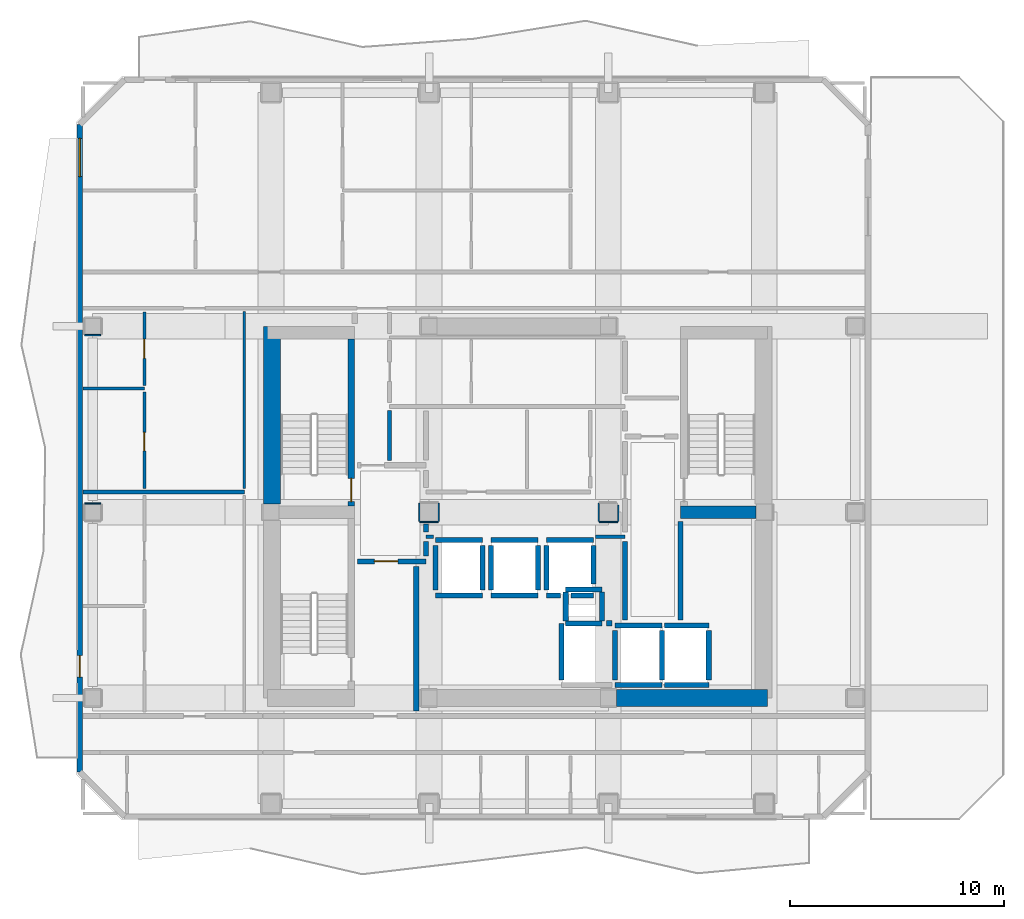
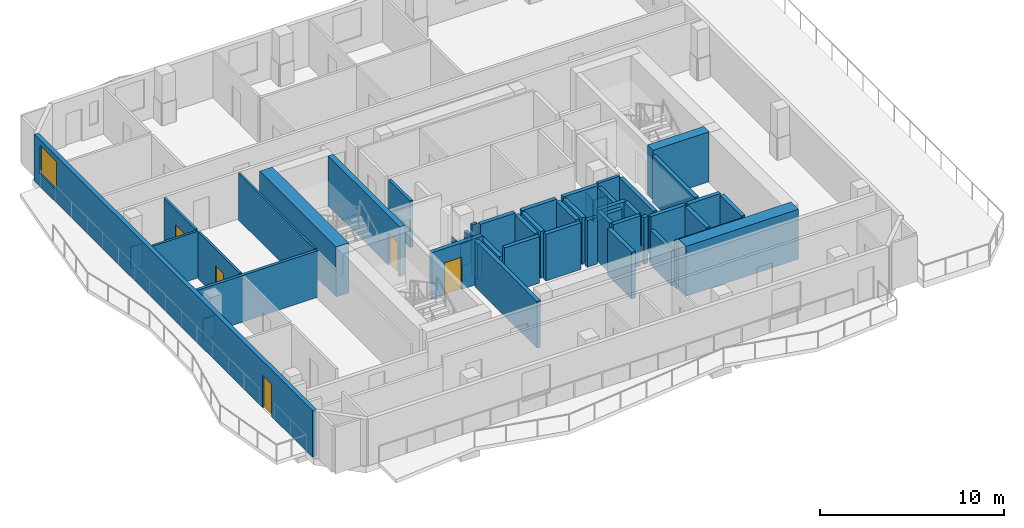
# One storey, part 3 of 10: 53 walls, 5 doors, 1 window, 6 openings.
"""IFC4 building model written with IfcOpenShell, lengths in metres."""

from ifc_helpers import new_model, si_unit, direction, frame, frame_2d, origin, place, context, subcontext, project, spatial, rectangle, extrude, material, layer, layer_set, type_object, element, fill, save


model = new_model("IFC4")

# Units and contexts
model_context = context("Model", 3, precision=1e-05, world=origin(), true_north=direction((0.0, 1.0)))
body_context = subcontext(model_context, "Body", "Model", "MODEL_VIEW")
ifc_project = project(units=[si_unit("LENGTHUNIT", "METRE"), si_unit("AREAUNIT", "SQUARE_METRE"), si_unit("VOLUMEUNIT", "CUBIC_METRE"), si_unit("PLANEANGLEUNIT", "RADIAN"), si_unit("MASSUNIT", "GRAM", prefix="KILO")], contexts=[model_context])

# Site, building, storey
site_placement = place(None, origin())
site = spatial("IfcSite", under=ifc_project, at=site_placement, CompositionType="ELEMENT")
building_placement = place(site_placement, origin())
building = spatial("IfcBuilding", under=site, at=building_placement, Name="Solanera Arch Residences", CompositionType="ELEMENT")
storey_placement = place(building_placement, frame((0.0, 0.0, 251.199951171875)))
storey = spatial("IfcBuildingStorey", under=building, at=storey_placement, Name="L73", CompositionType="ELEMENT", Elevation=251.199951171875)

# Walls
ifc_material_1 = material(Name="Fire-Rated Gypsum Stud Partition", Category="gypsum")
ifc_layer_1 = layer(ifc_material_1, 0.06005859375)
ifc_layer_set_1 = layer_set([ifc_layer_1], Name="Fire-Rated Gypsum Stud Partition")
wall_type_1 = type_object("IfcWallType", Name="Column Acoustic Furring Wall 60", PredefinedType="PARTITIONING", material=ifc_layer_set_1)
for number, where, z_axis, x_axis, name in (
    (1, (20.375, 30.242919921875, 0.0), (0.0, 0.0, 1.0), (1.0, 0.0, 0.0), "L73 Column Furring 7S"),
    (2, (20.343017578125, 30.27490234375, 0.0), (0.0, 0.0, 1.0), (0.0, 1.0, 0.0), "L73 Column Furring 7W"),
    (3, (21.257080078125, 30.27490234375, 0.0), (0.0, 0.0, 1.0), (0.0, 1.0, 0.0), "L73 Column Furring 7E"),
    (4, (28.77490234375, 30.242919921875, 0.0), (0.0, 0.0, 1.0), (1.0, 0.0, 0.0), "L73 Column Furring 8S"),
    (5, (28.742919921875, 30.27490234375, 0.0), (0.0, 0.0, 1.0), (0.0, 1.0, 0.0), "L73 Column Furring 8W"),
):
    element("IfcWall", number, at=place(storey_placement, frame(where, z_axis=z_axis, x_axis=x_axis)), inside=storey, type_object=wall_type_1, Name=name, PredefinedType="PARTITIONING", context=body_context, shape_type="SweptSolid", body=[
        extrude(rectangle(XDim=0.85009765625, YDim=0.06005859375, at=frame_2d((0.425048828125, 0.0))), origin(), (0.0, 0.0, 1.0), 1.449951171875),
    ])
wall_1_placement = place(storey_placement, frame((29.656982421875, 30.27490234375, 0.0), z_axis=(0.0, 0.0, 1.0), x_axis=(0.0, 1.0, 0.0)))
element("IfcWall", 6, at=wall_1_placement, inside=storey, type_object=wall_type_1, Name="L73 Column Furring 8E", PredefinedType="PARTITIONING", context=body_context, shape_type="SweptSolid", body=[
    extrude(rectangle(XDim=0.757080078125, YDim=0.06005859375, at=frame_2d((0.37841796875, 0.0))), origin(), (0.0, 0.0, 1.0), 1.449951171875),
])
for number, where, z_axis, x_axis, name in (
    (7, (4.675048828125, 31.10693359375, 0.0), (0.0, 0.0, 1.0), (1.0, 0.0, 0.0), "L73 Column Furring 19N"),
    (8, (4.675048828125, 38.992919921875, 0.0), (0.0, 0.0, 1.0), (1.0, 0.0, 0.0), "L73 Column Furring 21S"),
):
    element("IfcWall", number, at=place(storey_placement, frame(where, z_axis=z_axis, x_axis=x_axis)), inside=storey, type_object=wall_type_1, Name=name, PredefinedType="PARTITIONING", context=body_context, shape_type="SweptSolid", body=[
        extrude(rectangle(XDim=0.75, YDim=0.06005859375, at=frame_2d((0.375, 0.0))), origin(), (0.0, 0.0, 1.0), 1.449951171875),
    ])

# Wall, opening, door
ifc_material_2 = material(Name="Concrete C40/50 (f'c = 45 MPa)", Category="concrete")
ifc_layer_2 = layer(ifc_material_2, 0.320068359375)
ifc_layer_set_2 = layer_set([ifc_layer_2], Name="Concrete C40/50 (f'c = 45 MPa)")
wall_type_2 = type_object("IfcWallType", Name="Core Shear Wall CW-320", PredefinedType="SHEAR", material=ifc_layer_set_2)
wall_2_placement = place(storey_placement, frame((17.159912109375, 31.0, 0.0), z_axis=(0.0, 0.0, 1.0), x_axis=(0.0, 1.0, 0.0)))
wall_2 = element("IfcWall", 9, at=wall_2_placement, inside=storey, type_object=wall_type_2, Name="L73 Stair ST-T1 East Shear Wall", PredefinedType="SHEAR", context=body_context, shape_type="SweptSolid", body=[
    extrude(rectangle(XDim=7.800048828125, YDim=0.320068359375, at=frame_2d((3.89990234375, 0.0))), origin(), (0.0, 0.0, 1.0), 3.320068359375),
])
opening_1_placement = place(wall_2_placement, frame((0.18994140625, 0.0, 0.0)))
opening_1 = element("IfcOpeningElement", 10, at=opening_1_placement, cuts=wall_2, Name="Opening DF-01", PredefinedType="OPENING", context=body_context, shape_type="SweptSolid", body=[
    extrude(rectangle(XDim=1.10009765625, YDim=2.14990234375, at=frame_2d((0.550048828125, 1.074951171875))), frame((0.0, 0.169921875, 0.0), z_axis=(0.0, -1.0, 0.0), x_axis=(1.0, 0.0, 0.0)), (0.0, 0.0, 1.0), 0.3401),
])
ifc_material_3 = material(Name="Fire-Rated Architectural Hardwood", Category="wood")
door_type_1 = type_object("IfcDoorType", Name="Stair Exit Fire Door DF-01", OperationType="NOTDEFINED", PredefinedType="DOOR", material=ifc_material_3)
door_1_placement = place(opening_1_placement, origin())
door_1 = element("IfcDoor", 11, at=door_1_placement, inside=storey, type_object=door_type_1, Name="DR-L73-STAIR-ST-T1", OperationType="SINGLE_SWING_LEFT", OverallHeight=2.14990234375, OverallWidth=1.10009765625, PredefinedType="DOOR", context=body_context, shape_type="SweptSolid", body=[
    extrude(rectangle(XDim=1.10009765625, YDim=2.14990234375, at=frame_2d((0.550048828125, 1.074951171875))), frame((0.0, 0.02490234375, 0.0), z_axis=(0.0, -1.0, 0.0), x_axis=(1.0, 0.0, 0.0)), (0.0, 0.0, 1.0), 0.050048828125),
])
fill(opening_1, door_1)

# Walls
ifc_material_4 = material(Name="Concrete C40/50 (f'c = 45 MPa)", Category="concrete")
ifc_layer_3 = layer(ifc_material_4, 0.60009765625)
ifc_layer_set_3 = layer_set([ifc_layer_3], Name="Concrete C40/50 (f'c = 45 MPa)")
wall_type_3 = type_object("IfcWallType", Name="Core Shear Wall CW-600", PredefinedType="SHEAR", material=ifc_layer_set_3)
wall_3_placement = place(storey_placement, frame((32.580078125, 30.699951171875, 0.0), z_axis=(0.0, 0.0, 1.0), x_axis=(1.0, 0.0, 0.0)))
element("IfcWall", 12, at=wall_3_placement, inside=storey, type_object=wall_type_3, Name="L73 East Stair Far-Landing Shear Wall", PredefinedType="SHEAR", context=body_context, shape_type="SweptSolid", body=[
    extrude(rectangle(XDim=3.5400390625, YDim=0.60009765625, at=frame_2d((1.77001953125, 0.0))), origin(), (0.0, 0.0, 1.0), 3.320068359375),
])
ifc_material_5 = material(Name="Concrete C40/50 (f'c = 45 MPa)", Category="concrete")
ifc_layer_4 = layer(ifc_material_5, 0.800048828125)
ifc_layer_set_4 = layer_set([ifc_layer_4], Name="Concrete C40/50 (f'c = 45 MPa)")
wall_type_4 = type_object("IfcWallType", Name="Core Shear Wall CW-800", PredefinedType="SHEAR", material=ifc_layer_set_4)
wall_4_placement = place(storey_placement, frame((13.43994140625, 31.080078125, 0.0), z_axis=(0.0, 0.0, 1.0), x_axis=(0.0, 1.0, 0.0)))
element("IfcWall", 13, at=wall_4_placement, inside=storey, type_object=wall_type_4, Name="L73 West Core North Shear Wall", PredefinedType="SHEAR", context=body_context, shape_type="SweptSolid", body=[
    extrude(rectangle(XDim=8.31982421875, YDim=0.800048828125, at=frame_2d((4.159912109375, 0.0))), origin(), (0.0, 0.0, 1.0), 3.320068359375),
])
wall_5_placement = place(storey_placement, frame((29.580078125, 22.0, 0.0), z_axis=(0.0, 0.0, 1.0), x_axis=(1.0, 0.0, 0.0)))
element("IfcWall", 14, at=wall_5_placement, inside=storey, type_object=wall_type_4, Name="L73 South-East Core Shear Wall", PredefinedType="SHEAR", context=body_context, shape_type="SweptSolid", body=[
    extrude(rectangle(XDim=7.079833984375, YDim=0.800048828125, at=frame_2d((3.5400390625, 0.0))), origin(), (0.0, 0.0, 1.0), 3.320068359375),
])
ifc_material_6 = material(Name="Autoclaved Aerated Concrete Blockwork", Category="masonry")
ifc_layer_5 = layer(ifc_material_6, 0.179931640625)
ifc_layer_set_5 = layer_set([ifc_layer_5], Name="Autoclaved Aerated Concrete Blockwork")
wall_type_5 = type_object("IfcWallType", Name="Corridor Fire Partition 180", PredefinedType="PARTITIONING", material=ifc_layer_set_5)
wall_6_placement = place(storey_placement, frame((20.64990234375, 29.550048828125, 0.0), z_axis=(0.0, 0.0, 1.0), x_axis=(1.0, 0.0, 0.0)))
element("IfcWall", 15, at=wall_6_placement, inside=storey, type_object=wall_type_5, Name="L73 Interior Partition H7 1", PredefinedType="PARTITIONING", context=body_context, shape_type="SweptSolid", body=[
    extrude(rectangle(XDim=0.357177734375, YDim=0.179931640625, at=frame_2d((0.1787109375, 0.0))), origin(), (0.0, 0.0, 1.0), 3.10009765625),
])
wall_7_placement = place(storey_placement, frame((28.593017578125, 29.550048828125, 0.0), z_axis=(0.0, 0.0, 1.0), x_axis=(1.0, 0.0, 0.0)))
element("IfcWall", 16, at=wall_7_placement, inside=storey, type_object=wall_type_5, Name="L73 Interior Partition H7 2", PredefinedType="PARTITIONING", context=body_context, shape_type="SweptSolid", body=[
    extrude(rectangle(XDim=1.382080078125, YDim=0.179931640625, at=frame_2d((0.69091796875, 0.0))), origin(), (0.0, 0.0, 1.0), 3.10009765625),
])
wall_8_placement = place(storey_placement, frame((4.5869140625, 31.64990234375, 0.0), z_axis=(0.0, 0.0, 1.0), x_axis=(1.0, 0.0, 0.0)))
element("IfcWall", 17, at=wall_8_placement, inside=storey, type_object=wall_type_5, Name="L73 Interior Partition H8", PredefinedType="PARTITIONING", context=body_context, shape_type="SweptSolid", body=[
    extrude(rectangle(XDim=7.56298828125, YDim=0.179931640625, at=frame_2d((3.781494140625, 0.0))), origin(), (0.0, 0.0, 1.0), 3.10009765625),
])
wall_9_placement = place(storey_placement, frame((18.949951171875, 33.117919921875, 0.0), z_axis=(0.0, 0.0, 1.0), x_axis=(0.0, 1.0, 0.0)))
element("IfcWall", 18, at=wall_9_placement, inside=storey, type_object=wall_type_5, Name="L73 Interior Partition V7 1", PredefinedType="PARTITIONING", context=body_context, shape_type="SweptSolid", body=[
    extrude(rectangle(XDim=2.343994140625, YDim=0.179931640625, at=frame_2d((1.171875, 0.0))), origin(), (0.0, 0.0, 1.0), 3.10009765625),
])

# Wall, openings, door, window
ifc_material_7 = material(Name="Precast Concrete C35/45", Category="concrete")
ifc_layer_6 = layer(ifc_material_7, 0.260009765625)
ifc_layer_set_6 = layer_set([ifc_layer_6], Name="Precast Concrete C35/45")
wall_type_6 = type_object("IfcWallType", Name="Exterior Wall Precast Masonry-Frame 260", PredefinedType="STANDARD", material=ifc_layer_set_6)
wall_10_placement = place(storey_placement, frame((4.445068359375, 18.544921875, 0.0), z_axis=(0.0, 0.0, 1.0), x_axis=(0.0, 1.0, 0.0)))
wall_10 = element("IfcWall", 19, at=wall_10_placement, inside=storey, type_object=wall_type_6, Name="L73 Tower Exterior Precast Masonry-Frame Wall W", PredefinedType="STANDARD", context=body_context, shape_type="SweptSolid", body=[
    extrude(rectangle(XDim=30.31005859375, YDim=0.260009765625, at=frame_2d((15.155029296875, 0.0))), origin(), (0.0, 0.0, 1.0), 3.10009765625),
])
opening_2_placement = place(wall_10_placement, frame((4.43408203125, 0.0, 0.0)))
opening_2 = element("IfcOpeningElement", 20, at=opening_2_placement, cuts=wall_10, Name="Opening DB-01", PredefinedType="OPENING", context=body_context, shape_type="SweptSolid", body=[
    extrude(rectangle(XDim=1.0, YDim=2.14990234375, at=frame_2d((0.5, 1.074951171875))), frame((0.0, 0.139892578125, 0.0), z_axis=(0.0, -1.0, 0.0), x_axis=(1.0, 0.0, 0.0)), (0.0, 0.0, 1.0), 0.28),
])
opening_3_placement = place(wall_10_placement, frame((27.865966796875, 0.0, 0.85009765625)))
opening_3 = element("IfcOpeningElement", 21, at=opening_3_placement, cuts=wall_10, Name="Opening W-03", PredefinedType="OPENING", context=body_context, shape_type="SweptSolid", body=[
    extrude(rectangle(XDim=1.800048828125, YDim=1.89990234375, at=frame_2d((0.89990234375, 0.949951171875))), frame((0.0, 0.139892578125, 0.0), z_axis=(0.0, -1.0, 0.0), x_axis=(1.0, 0.0, 0.0)), (0.0, 0.0, 1.0), 0.28),
])
ifc_material_8 = material(Name="Anodised Aluminium Alloy 6063-T6", Category="aluminium")
door_type_2 = type_object("IfcDoorType", Name="Glazed Balcony Swing Door DB-01", OperationType="NOTDEFINED", PredefinedType="DOOR", material=ifc_material_8)
door_2_placement = place(opening_2_placement, origin())
door_2 = element("IfcDoor", 22, at=door_2_placement, inside=storey, type_object=door_type_2, Name="DR-L73-OUT-04", OperationType="SINGLE_SWING_RIGHT", OverallHeight=2.14990234375, OverallWidth=1.0, PredefinedType="DOOR", context=body_context, shape_type="SweptSolid", body=[
    extrude(rectangle(XDim=1.0, YDim=2.14990234375, at=frame_2d((0.5, 1.074951171875))), frame((0.0, 0.02490234375, 0.0), z_axis=(0.0, -1.0, 0.0), x_axis=(1.0, 0.0, 0.0)), (0.0, 0.0, 1.0), 0.050048828125),
])
fill(opening_2, door_2)
ifc_material_9 = material(Name="Double Glazed Low-E Laminated Glass", Category="glass")
window_type = type_object("IfcWindowType", Name="Punched Window W-03", PartitioningType="DOUBLE_PANEL_VERTICAL", PredefinedType="WINDOW", material=ifc_material_9)
window_placement = place(opening_3_placement, origin())
window = element("IfcWindow", 23, at=window_placement, inside=storey, type_object=window_type, Name="L73 7303-BR1 Punched Window", OverallHeight=1.89990234375, OverallWidth=1.800048828125, PartitioningType="SINGLE_PANEL", PredefinedType="WINDOW", context=body_context, shape_type="SweptSolid", body=[
    extrude(rectangle(XDim=1.800048828125, YDim=1.89990234375, at=frame_2d((0.89990234375, 0.949951171875))), frame((0.0, 0.030029296875, 0.0), z_axis=(0.0, -1.0, 0.0), x_axis=(1.0, 0.0, 0.0)), (0.0, 0.0, 1.0), 0.06005859375),
])
fill(opening_3, window)

# Walls
ifc_material_10 = material(Name="Concrete C40/50 (f'c = 45 MPa)", Category="concrete")
ifc_layer_7 = layer(ifc_material_10, 0.239990234375)
ifc_layer_set_7 = layer_set([ifc_layer_7], Name="Concrete C40/50 (f'c = 45 MPa)")
wall_type_7 = type_object("IfcWallType", Name="Ramp Bearing Shear Wall RW-240", PredefinedType="SHEAR", material=ifc_layer_set_7)
for number, where, z_axis, x_axis, name in (
    (24, (27.199951171875, 25.47998046875, 0.0), (0.0, 0.0, 1.0), (1.0, 0.0, 0.0), "L73 Core MEP Riser South Shaft Wall"),
    (25, (27.199951171875, 27.080078125, 0.0), (0.0, 0.0, 1.0), (1.0, 0.0, 0.0), "L73 Core MEP Riser North Shaft Wall"),
):
    element("IfcWall", number, at=place(storey_placement, frame(where, z_axis=z_axis, x_axis=x_axis)), inside=storey, type_object=wall_type_7, Name=name, PredefinedType="SHEAR", context=body_context, shape_type="SweptSolid", body=[
        extrude(rectangle(XDim=1.699951171875, YDim=0.239990234375, at=frame_2d((0.85009765625, 0.0))), origin(), (0.0, 0.0, 1.0), 3.320068359375),
    ])
for number, where, z_axis, x_axis, name in (
    (26, (27.199951171875, 25.60009765625, 0.0), (0.0, 0.0, 1.0), (0.0, 1.0, 0.0), "L73 Core MEP Riser West Shaft Wall"),
    (27, (28.89990234375, 25.60009765625, 0.0), (0.0, 0.0, 1.0), (0.0, 1.0, 0.0), "L73 Core MEP Riser East Shaft Wall"),
):
    element("IfcWall", number, at=place(storey_placement, frame(where, z_axis=z_axis, x_axis=x_axis)), inside=storey, type_object=wall_type_7, Name=name, PredefinedType="SHEAR", context=body_context, shape_type="SweptSolid", body=[
        extrude(rectangle(XDim=1.35986328125, YDim=0.239990234375, at=frame_2d((0.679931640625, 0.0))), origin(), (0.0, 0.0, 1.0), 3.320068359375),
    ])
ifc_material_11 = material(Name="Autoclaved Aerated Concrete Blockwork", Category="masonry")
ifc_layer_8 = layer(ifc_material_11, 0.239990234375)
ifc_layer_set_8 = layer_set([ifc_layer_8], Name="Autoclaved Aerated Concrete Blockwork")
wall_type_8 = type_object("IfcWallType", Name="Shaft Wall Fire-Rated 240", PredefinedType="PARTITIONING", material=ifc_layer_set_8)
for number, where, z_axis, x_axis, name in (
    (28, (21.10009765625, 26.800048828125, 0.0), (0.0, 0.0, 1.0), (1.0, 0.0, 0.0), "L73 Lift PL-H1 Hoistway Wall S"),
    (29, (21.10009765625, 29.39990234375, 0.0), (0.0, 0.0, 1.0), (1.0, 0.0, 0.0), "L73 Lift PL-H1 Hoistway Wall N"),
):
    element("IfcWall", number, at=place(storey_placement, frame(where, z_axis=z_axis, x_axis=x_axis)), inside=storey, type_object=wall_type_8, Name=name, PredefinedType="PARTITIONING", context=body_context, shape_type="SweptSolid", body=[
        extrude(rectangle(XDim=2.199951171875, YDim=0.239990234375, at=frame_2d((1.10009765625, 0.0))), origin(), (0.0, 0.0, 1.0), 3.10009765625),
    ])
wall_11_placement = place(storey_placement, frame((21.10009765625, 27.048095703125, 0.0), z_axis=(0.0, 0.0, 1.0), x_axis=(0.0, 1.0, 0.0)))
element("IfcWall", 30, at=wall_11_placement, inside=storey, type_object=wall_type_8, Name="L73 Lift PL-H1 Hoistway Wall W", PredefinedType="PARTITIONING", context=body_context, shape_type="SweptSolid", body=[
    extrude(rectangle(XDim=2.10400390625, YDim=0.239990234375, at=frame_2d((1.052001953125, 0.0))), origin(), (0.0, 0.0, 1.0), 2.3349609375),
])
wall_12_placement = place(storey_placement, frame((23.300048828125, 27.048095703125, 0.0), z_axis=(0.0, 0.0, 1.0), x_axis=(0.0, 1.0, 0.0)))
element("IfcWall", 31, at=wall_12_placement, inside=storey, type_object=wall_type_8, Name="L73 Lift PL-H1 Hoistway Wall E", PredefinedType="PARTITIONING", context=body_context, shape_type="SweptSolid", body=[
    extrude(rectangle(XDim=2.10400390625, YDim=0.239990234375, at=frame_2d((1.052001953125, 0.0))), origin(), (0.0, 0.0, 1.0), 3.10009765625),
])
for number, where, z_axis, x_axis, name in (
    (32, (23.699951171875, 26.800048828125, 0.0), (0.0, 0.0, 1.0), (1.0, 0.0, 0.0), "L73 Lift PL-H2 Hoistway Wall S"),
    (33, (23.699951171875, 29.39990234375, 0.0), (0.0, 0.0, 1.0), (1.0, 0.0, 0.0), "L73 Lift PL-H2 Hoistway Wall N"),
):
    element("IfcWall", number, at=place(storey_placement, frame(where, z_axis=z_axis, x_axis=x_axis)), inside=storey, type_object=wall_type_8, Name=name, PredefinedType="PARTITIONING", context=body_context, shape_type="SweptSolid", body=[
        extrude(rectangle(XDim=2.199951171875, YDim=0.239990234375, at=frame_2d((1.10009765625, 0.0))), origin(), (0.0, 0.0, 1.0), 3.10009765625),
    ])
for number, where, z_axis, x_axis, name in (
    (34, (23.699951171875, 27.048095703125, 0.0), (0.0, 0.0, 1.0), (0.0, 1.0, 0.0), "L73 Lift PL-H2 Hoistway Wall W"),
    (35, (25.89990234375, 27.048095703125, 0.0), (0.0, 0.0, 1.0), (0.0, 1.0, 0.0), "L73 Lift PL-H2 Hoistway Wall E"),
):
    element("IfcWall", number, at=place(storey_placement, frame(where, z_axis=z_axis, x_axis=x_axis)), inside=storey, type_object=wall_type_8, Name=name, PredefinedType="PARTITIONING", context=body_context, shape_type="SweptSolid", body=[
        extrude(rectangle(XDim=2.10400390625, YDim=0.239990234375, at=frame_2d((1.052001953125, 0.0))), origin(), (0.0, 0.0, 1.0), 3.10009765625),
    ])
wall_13_placement = place(storey_placement, frame((26.300048828125, 26.800048828125, 0.0), z_axis=(0.0, 0.0, 1.0), x_axis=(1.0, 0.0, 0.0)))
element("IfcWall", 36, at=wall_13_placement, inside=storey, type_object=wall_type_8, Name="L73 Lift PL-H3 Hoistway Wall S 1", PredefinedType="PARTITIONING", context=body_context, shape_type="SweptSolid", body=[
    extrude(rectangle(XDim=0.64990234375, YDim=0.239990234375, at=frame_2d((0.324951171875, 0.0))), origin(), (0.0, 0.0, 1.0), 3.10009765625),
])
wall_14_placement = place(storey_placement, frame((27.449951171875, 26.800048828125, 0.0), z_axis=(0.0, 0.0, 1.0), x_axis=(1.0, 0.0, 0.0)))
element("IfcWall", 37, at=wall_14_placement, inside=storey, type_object=wall_type_8, Name="L73 Lift PL-H3 Hoistway Wall S 2", PredefinedType="PARTITIONING", context=body_context, shape_type="SweptSolid", body=[
    extrude(rectangle(XDim=1.050048828125, YDim=0.239990234375, at=frame_2d((0.52490234375, 0.0))), origin(), (0.0, 0.0, 1.0), 3.10009765625),
])
wall_15_placement = place(storey_placement, frame((26.300048828125, 29.39990234375, 0.0), z_axis=(0.0, 0.0, 1.0), x_axis=(1.0, 0.0, 0.0)))
element("IfcWall", 38, at=wall_15_placement, inside=storey, type_object=wall_type_8, Name="L73 Lift PL-H3 Hoistway Wall N", PredefinedType="PARTITIONING", context=body_context, shape_type="SweptSolid", body=[
    extrude(rectangle(XDim=2.199951171875, YDim=0.239990234375, at=frame_2d((1.10009765625, 0.0))), origin(), (0.0, 0.0, 1.0), 3.10009765625),
])
wall_16_placement = place(storey_placement, frame((26.300048828125, 27.048095703125, 0.0), z_axis=(0.0, 0.0, 1.0), x_axis=(0.0, 1.0, 0.0)))
element("IfcWall", 39, at=wall_16_placement, inside=storey, type_object=wall_type_8, Name="L73 Lift PL-H3 Hoistway Wall W", PredefinedType="PARTITIONING", context=body_context, shape_type="SweptSolid", body=[
    extrude(rectangle(XDim=2.10400390625, YDim=0.239990234375, at=frame_2d((1.052001953125, 0.0))), origin(), (0.0, 0.0, 1.0), 3.10009765625),
])
wall_17_placement = place(storey_placement, frame((28.5, 27.330078125, 0.0), z_axis=(0.0, 0.0, 1.0), x_axis=(0.0, 1.0, 0.0)))
element("IfcWall", 40, at=wall_17_placement, inside=storey, type_object=wall_type_8, Name="L73 Lift PL-H3 Hoistway Wall E", PredefinedType="PARTITIONING", context=body_context, shape_type="SweptSolid", body=[
    extrude(rectangle(XDim=1.822021484375, YDim=0.239990234375, at=frame_2d((0.9111328125, 0.0))), origin(), (0.0, 0.0, 1.0), 3.10009765625),
])
for number, where, z_axis, x_axis, name in (
    (41, (29.5, 22.60009765625, 0.0), (0.0, 0.0, 1.0), (1.0, 0.0, 0.0), "L73 Lift FFL-1 Hoistway Wall S"),
    (42, (29.5, 25.39990234375, 0.0), (0.0, 0.0, 1.0), (1.0, 0.0, 0.0), "L73 Lift FFL-1 Hoistway Wall N"),
):
    element("IfcWall", number, at=place(storey_placement, frame(where, z_axis=z_axis, x_axis=x_axis)), inside=storey, type_object=wall_type_8, Name=name, PredefinedType="PARTITIONING", context=body_context, shape_type="SweptSolid", body=[
        extrude(rectangle(XDim=2.199951171875, YDim=0.239990234375, at=frame_2d((1.10009765625, 0.0))), origin(), (0.0, 0.0, 1.0), 3.10009765625),
    ])
wall_18_placement = place(storey_placement, frame((29.5, 22.847900390625, 0.0), z_axis=(0.0, 0.0, 1.0), x_axis=(0.0, 1.0, 0.0)))
element("IfcWall", 43, at=wall_18_placement, inside=storey, type_object=wall_type_8, Name="L73 Lift FFL-1 Hoistway Wall W", PredefinedType="PARTITIONING", context=body_context, shape_type="SweptSolid", body=[
    extrude(rectangle(XDim=2.30419921875, YDim=0.239990234375, at=frame_2d((1.152099609375, 0.0))), origin(), (0.0, 0.0, 1.0), 2.3349609375),
])
wall_19_placement = place(storey_placement, frame((31.699951171875, 22.847900390625, 0.0), z_axis=(0.0, 0.0, 1.0), x_axis=(0.0, 1.0, 0.0)))
element("IfcWall", 44, at=wall_19_placement, inside=storey, type_object=wall_type_8, Name="L73 Lift FFL-1 Hoistway Wall E", PredefinedType="PARTITIONING", context=body_context, shape_type="SweptSolid", body=[
    extrude(rectangle(XDim=2.30419921875, YDim=0.239990234375, at=frame_2d((1.152099609375, 0.0))), origin(), (0.0, 0.0, 1.0), 3.10009765625),
])
for number, where, z_axis, x_axis, name in (
    (45, (31.827880859375, 22.60009765625, 0.0), (0.0, 0.0, 1.0), (1.0, 0.0, 0.0), "L73 Lift FFL-2 Hoistway Wall S"),
    (46, (31.827880859375, 25.39990234375, 0.0), (0.0, 0.0, 1.0), (1.0, 0.0, 0.0), "L73 Lift FFL-2 Hoistway Wall N"),
):
    element("IfcWall", number, at=place(storey_placement, frame(where, z_axis=z_axis, x_axis=x_axis)), inside=storey, type_object=wall_type_8, Name=name, PredefinedType="PARTITIONING", context=body_context, shape_type="SweptSolid", body=[
        extrude(rectangle(XDim=2.072021484375, YDim=0.239990234375, at=frame_2d((1.0361328125, 0.0))), origin(), (0.0, 0.0, 1.0), 3.10009765625),
    ])
wall_20_placement = place(storey_placement, frame((33.89990234375, 22.847900390625, 0.0), z_axis=(0.0, 0.0, 1.0), x_axis=(0.0, 1.0, 0.0)))
element("IfcWall", 47, at=wall_20_placement, inside=storey, type_object=wall_type_8, Name="L73 Lift FFL-2 Hoistway Wall E", PredefinedType="PARTITIONING", context=body_context, shape_type="SweptSolid", body=[
    extrude(rectangle(XDim=2.30419921875, YDim=0.239990234375, at=frame_2d((1.152099609375, 0.0))), origin(), (0.0, 0.0, 1.0), 3.10009765625),
])
wall_21_placement = place(storey_placement, frame((29.10302734375, 25.5, 0.0), z_axis=(0.0, 0.0, 1.0), x_axis=(1.0, 0.0, 0.0)))
element("IfcWall", 48, at=wall_21_placement, inside=storey, type_object=wall_type_8, Name="L73 Lift SVL-1 Hoistway Wall N", PredefinedType="PARTITIONING", context=body_context, shape_type="SweptSolid", body=[
    extrude(rectangle(XDim=0.26904296875, YDim=0.239990234375, at=frame_2d((0.134521484375, 0.0))), origin(), (0.0, 0.0, 1.0), 3.10009765625),
])
wall_22_placement = place(storey_placement, frame((27.0, 22.847900390625, 0.0), z_axis=(0.0, 0.0, 1.0), x_axis=(0.0, 1.0, 0.0)))
element("IfcWall", 49, at=wall_22_placement, inside=storey, type_object=wall_type_8, Name="L73 Lift SVL-1 Hoistway Wall W", PredefinedType="PARTITIONING", context=body_context, shape_type="SweptSolid", body=[
    extrude(rectangle(XDim=2.650146484375, YDim=0.239990234375, at=frame_2d((1.3251953125, 0.0))), origin(), (0.0, 0.0, 1.0), 3.10009765625),
])

# Wall, opening, door
wall_23_placement = place(storey_placement, frame((17.449951171875, 28.39990234375, 0.0), z_axis=(0.0, 0.0, 1.0), x_axis=(1.0, 0.0, 0.0)))
wall_23 = element("IfcWall", 50, at=wall_23_placement, inside=storey, type_object=wall_type_8, Name="L73 Interior Partition H3", PredefinedType="PARTITIONING", context=body_context, shape_type="SweptSolid", body=[
    extrude(rectangle(XDim=3.199951171875, YDim=0.239990234375, at=frame_2d((1.60009765625, 0.0))), origin(), (0.0, 0.0, 1.0), 3.10009765625),
])
opening_4_placement = place(wall_23_placement, frame((0.783935546875, 0.0, 0.0)))
opening_4 = element("IfcOpeningElement", 51, at=opening_4_placement, cuts=wall_23, Name="Opening DF-02", PredefinedType="OPENING", context=body_context, shape_type="SweptSolid", body=[
    extrude(rectangle(XDim=1.10009765625, YDim=2.14990234375, at=frame_2d((0.550048828125, 1.074951171875))), frame((0.0, 0.1298828125, 0.0), z_axis=(0.0, -1.0, 0.0), x_axis=(1.0, 0.0, 0.0)), (0.0, 0.0, 1.0), 0.26),
])
ifc_material_12 = material(Name="Fire-Rated Architectural Hardwood", Category="wood")
door_type_3 = type_object("IfcDoorType", Name="Firefighting Lobby Fire Door DF-02", OperationType="NOTDEFINED", PredefinedType="DOOR", material=ifc_material_12)
door_3_placement = place(opening_4_placement, origin())
door_3 = element("IfcDoor", 52, at=door_3_placement, inside=storey, type_object=door_type_3, Name="DR-L73-IN-004", OperationType="SINGLE_SWING_RIGHT", OverallHeight=2.14990234375, OverallWidth=1.10009765625, PredefinedType="DOOR", context=body_context, shape_type="SweptSolid", body=[
    extrude(rectangle(XDim=1.10009765625, YDim=2.14990234375, at=frame_2d((0.550048828125, 1.074951171875))), frame((0.0, 0.02490234375, 0.0), z_axis=(0.0, -1.0, 0.0), x_axis=(1.0, 0.0, 0.0)), (0.0, 0.0, 1.0), 0.050048828125),
])
fill(opening_4, door_3)

# Walls
wall_24_placement = place(storey_placement, frame((20.199951171875, 21.39794921875, 0.0), z_axis=(0.0, 0.0, 1.0), x_axis=(0.0, 1.0, 0.0)))
element("IfcWall", 53, at=wall_24_placement, inside=storey, type_object=wall_type_8, Name="L73 Interior Partition V2", PredefinedType="PARTITIONING", context=body_context, shape_type="SweptSolid", body=[
    extrude(rectangle(XDim=6.754150390625, YDim=0.239990234375, at=frame_2d((3.376953125, 0.0))), origin(), (0.0, 0.0, 1.0), 3.10009765625),
])
wall_25_placement = place(storey_placement, frame((20.64990234375, 28.64794921875, 0.0), z_axis=(0.0, 0.0, 1.0), x_axis=(0.0, 1.0, 0.0)))
element("IfcWall", 54, at=wall_25_placement, inside=storey, type_object=wall_type_8, Name="L73 Interior Partition V3 1", PredefinedType="PARTITIONING", context=body_context, shape_type="SweptSolid", body=[
    extrude(rectangle(XDim=0.68408203125, YDim=0.239990234375, at=frame_2d((0.342041015625, 0.0))), origin(), (0.0, 0.0, 1.0), 2.3349609375),
])
wall_26_placement = place(storey_placement, frame((20.64990234375, 29.76806640625, 0.0), z_axis=(0.0, 0.0, 1.0), x_axis=(0.0, 1.0, 0.0)))
element("IfcWall", 55, at=wall_26_placement, inside=storey, type_object=wall_type_8, Name="L73 Interior Partition V3 2", PredefinedType="PARTITIONING", context=body_context, shape_type="SweptSolid", body=[
    extrude(rectangle(XDim=0.375, YDim=0.239990234375, at=frame_2d((0.1875, 0.0))), origin(), (0.0, 0.0, 1.0), 2.3349609375),
])
wall_27_placement = place(storey_placement, frame((29.97509765625, 25.64794921875, 0.0), z_axis=(0.0, 0.0, 1.0), x_axis=(0.0, 1.0, 0.0)))
element("IfcWall", 56, at=wall_27_placement, inside=storey, type_object=wall_type_8, Name="L73 Interior Partition V4 1", PredefinedType="PARTITIONING", context=body_context, shape_type="SweptSolid", body=[
    extrude(rectangle(XDim=3.68408203125, YDim=0.239990234375, at=frame_2d((1.842041015625, 0.0))), origin(), (0.0, 0.0, 1.0), 3.10009765625),
])
wall_28_placement = place(storey_placement, frame((32.580078125, 25.64794921875, 0.0), z_axis=(0.0, 0.0, 1.0), x_axis=(0.0, 1.0, 0.0)))
element("IfcWall", 57, at=wall_28_placement, inside=storey, type_object=wall_type_8, Name="L73 Interior Partition V5", PredefinedType="PARTITIONING", context=body_context, shape_type="SweptSolid", body=[
    extrude(rectangle(XDim=4.6220703125, YDim=0.239990234375, at=frame_2d((2.31103515625, 0.0))), origin(), (0.0, 0.0, 1.0), 3.10009765625),
])
ifc_material_13 = material(Name="Fire-Rated Gypsum Stud Partition", Category="gypsum")
ifc_layer_9 = layer(ifc_material_13, 0.1201171875)
ifc_layer_set_9 = layer_set([ifc_layer_9], Name="Fire-Rated Gypsum Stud Partition")
wall_type_9 = type_object("IfcWallType", Name="Unit Drywall Partition 120", PredefinedType="PARTITIONING", material=ifc_layer_set_9)
wall_29_placement = place(storey_placement, frame((12.14990234375, 31.80810546875, 0.0), z_axis=(0.0, 0.0, 1.0), x_axis=(0.0, 1.0, 0.0)))
element("IfcWall", 58, at=wall_29_placement, inside=storey, type_object=wall_type_9, Name="L73 Interior Partition V18 2", PredefinedType="PARTITIONING", context=body_context, shape_type="SweptSolid", body=[
    extrude(rectangle(XDim=8.283935546875, YDim=0.1201171875, at=frame_2d((4.14208984375, 0.0))), origin(), (0.0, 0.0, 1.0), 3.10009765625),
])
ifc_material_14 = material(Name="Autoclaved Aerated Concrete Blockwork", Category="masonry")
ifc_layer_10 = layer(ifc_material_14, 0.139892578125)
ifc_layer_set_10 = layer_set([ifc_layer_10], Name="Autoclaved Aerated Concrete Blockwork")
wall_type_10 = type_object("IfcWallType", Name="Wet-Room Partition 140", PredefinedType="PARTITIONING", material=ifc_layer_set_10)
wall_30_placement = place(storey_placement, frame((4.5869140625, 36.487060546875, 0.0), z_axis=(0.0, 0.0, 1.0), x_axis=(1.0, 0.0, 0.0)))
element("IfcWall", 59, at=wall_30_placement, inside=storey, type_object=wall_type_10, Name="L73 Interior Partition H16", PredefinedType="PARTITIONING", context=body_context, shape_type="SweptSolid", body=[
    extrude(rectangle(XDim=2.882080078125, YDim=0.139892578125, at=frame_2d((1.44091796875, 0.0))), origin(), (0.0, 0.0, 1.0), 3.10009765625),
])

# Wall, opening, door
wall_31_placement = place(storey_placement, frame((7.468994140625, 31.818115234375, 0.0), z_axis=(0.0, 0.0, 1.0), x_axis=(0.0, 1.0, 0.0)))
wall_31 = element("IfcWall", 60, at=wall_31_placement, inside=storey, type_object=wall_type_10, Name="L73 Interior Partition V12 3", PredefinedType="PARTITIONING", context=body_context, shape_type="SweptSolid", body=[
    extrude(rectangle(XDim=4.52099609375, YDim=0.139892578125, at=frame_2d((2.260498046875, 0.0))), origin(), (0.0, 0.0, 1.0), 3.10009765625),
])
opening_5_placement = place(wall_31_placement, frame((1.758056640625, 0.0, 0.0)))
opening_5 = element("IfcOpeningElement", 61, at=opening_5_placement, cuts=wall_31, Name="Opening DI-05", PredefinedType="OPENING", context=body_context, shape_type="SweptSolid", body=[
    extrude(rectangle(XDim=0.860107421875, YDim=2.02001953125, at=frame_2d((0.43017578125, 1.010009765625))), frame((0.0, 0.079833984375, 0.0), z_axis=(0.0, -1.0, 0.0), x_axis=(1.0, 0.0, 0.0)), (0.0, 0.0, 1.0), 0.1599),
])
ifc_material_15 = material(Name="Fire-Rated Architectural Hardwood", Category="wood")
door_type_4 = type_object("IfcDoorType", Name="Bathroom Swing Door DI-05", OperationType="NOTDEFINED", PredefinedType="DOOR", material=ifc_material_15)
door_4_placement = place(opening_5_placement, origin())
door_4 = element("IfcDoor", 62, at=door_4_placement, inside=storey, type_object=door_type_4, Name="DR-L73-IN-033", OperationType="SINGLE_SWING_LEFT", OverallHeight=2.02001953125, OverallWidth=0.860107421875, PredefinedType="DOOR", context=body_context, shape_type="SweptSolid", body=[
    extrude(rectangle(XDim=0.860107421875, YDim=2.02001953125, at=frame_2d((0.43017578125, 1.010009765625))), frame((0.0, 0.02490234375, 0.0), z_axis=(0.0, -1.0, 0.0), x_axis=(1.0, 0.0, 0.0)), (0.0, 0.0, 1.0), 0.050048828125),
])
fill(opening_5, door_4)

wall_32_placement = place(storey_placement, frame((7.468994140625, 36.635009765625, 0.0), z_axis=(0.0, 0.0, 1.0), x_axis=(0.0, 1.0, 0.0)))
wall_32 = element("IfcWall", 63, at=wall_32_placement, inside=storey, type_object=wall_type_10, Name="L73 Interior Partition V12 4", PredefinedType="PARTITIONING", context=body_context, shape_type="SweptSolid", body=[
    extrude(rectangle(XDim=3.447021484375, YDim=0.139892578125, at=frame_2d((1.7236328125, 0.0))), origin(), (0.0, 0.0, 1.0), 3.10009765625),
])
opening_6_placement = place(wall_32_placement, frame((1.27099609375, 0.0, 0.0)))
opening_6 = element("IfcOpeningElement", 64, at=opening_6_placement, cuts=wall_32, Name="Opening DI-02", PredefinedType="OPENING", context=body_context, shape_type="SweptSolid", body=[
    extrude(rectangle(XDim=0.89990234375, YDim=2.10009765625, at=frame_2d((0.449951171875, 1.050048828125))), frame((0.0, 0.079833984375, 0.0), z_axis=(0.0, -1.0, 0.0), x_axis=(1.0, 0.0, 0.0)), (0.0, 0.0, 1.0), 0.1599),
])
ifc_material_16 = material(Name="Fire-Rated Architectural Hardwood", Category="wood")
door_type_5 = type_object("IfcDoorType", Name="Suite Room Swing Door DI-02", OperationType="NOTDEFINED", PredefinedType="DOOR", material=ifc_material_16)
door_5_placement = place(opening_6_placement, origin())
door_5 = element("IfcDoor", 65, at=door_5_placement, inside=storey, type_object=door_type_5, Name="DR-L73-IN-032", OperationType="SINGLE_SWING_RIGHT", OverallHeight=2.10009765625, OverallWidth=0.89990234375, PredefinedType="DOOR", context=body_context, shape_type="SweptSolid", body=[
    extrude(rectangle(XDim=0.89990234375, YDim=2.10009765625, at=frame_2d((0.449951171875, 1.050048828125))), frame((0.0, 0.02490234375, 0.0), z_axis=(0.0, -1.0, 0.0), x_axis=(1.0, 0.0, 0.0)), (0.0, 0.0, 1.0), 0.050048828125),
])
fill(opening_6, door_5)

save(model, "model.ifc")
